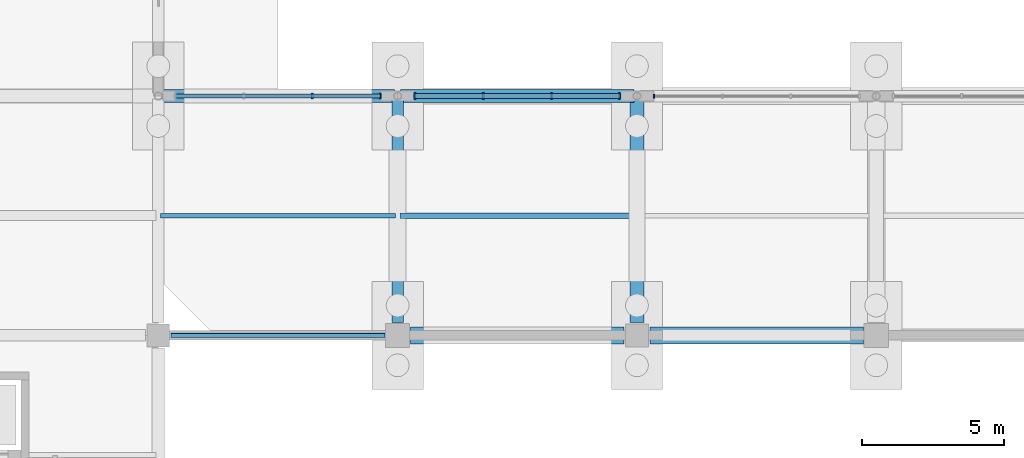
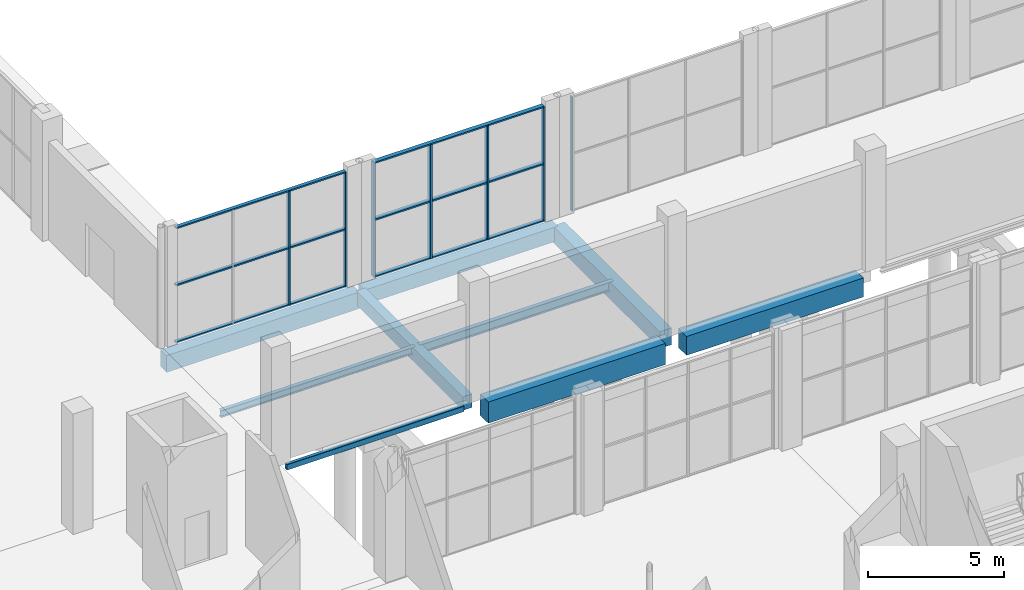
# One storey, part 34 of 82: 13 members, 9 beams, 3 elements without a shape of their own.
"""IFC4 building model written with IfcOpenShell, lengths in metres."""

import ifcopenshell
import ifcopenshell.guid

model = None  # the IFC model being written
_history = None  # IfcOwnerHistory: only IFC2X3 demands one
_inside = {}  # id of a spatial element -> (the spatial element, [elements in it])
_under = {}  # id of a project, library or spatial element -> (it, [spatial elements below it])
_declared = {}  # id of a project -> (the project, [libraries it declares])
_typed = {}  # id of a type object -> (the type object, [elements of that type])
_made_of = {}  # id of a material, layer set ... -> (it, [elements and type objects made of it])


def new_model(schema):
    """Start an empty IFC model of exactly this schema.

    Asked for "IFC4X3", IfcOpenShell would pick the latest addendum, in which some entities
    have other attributes; the version numbers below select the first issue.
    IFC2X3 requires an IfcOwnerHistory on every rooted entity: one is made here for all.
    """
    global model, _history
    if schema == "IFC4X3":
        model = ifcopenshell.file(schema_version=(4, 3, 0, 0))
    else:
        model = ifcopenshell.file(schema=schema)
    _inside.clear()
    _under.clear()
    _declared.clear()
    _typed.clear()
    _made_of.clear()
    _history = None
    if model.schema == "IFC2X3":
        org = make("IfcOrganization", Name="unknown")
        user = make(
            "IfcPersonAndOrganization",
            ThePerson=make("IfcPerson", FamilyName="unknown"),
            TheOrganization=org,
        )
        app = make(
            "IfcApplication",
            ApplicationDeveloper=org,
            Version="unknown",
            ApplicationFullName="unknown",
            ApplicationIdentifier="unknown",
        )
        _history = make(
            "IfcOwnerHistory",
            OwningUser=user,
            OwningApplication=app,
            ChangeAction="ADDED",
            CreationDate=0,
        )
    return model


def make(cls, **values):
    """One entity of the class cls with the attributes given. An attribute that is None is left unset."""
    return model.create_entity(
        cls, **{name: value for name, value in values.items() if value is not None}
    )


def rooted(cls, **values):
    """An entity with a GlobalId (a new one), such as an element, a storey or a relation."""
    return make(cls, GlobalId=ifcopenshell.guid.new(), OwnerHistory=_history, **values)


def si_unit(unit_type, name, prefix=None):
    """IfcSIUnit, for example si_unit("LENGTHUNIT", "METRE", prefix="MILLI")."""
    return make("IfcSIUnit", UnitType=unit_type, Prefix=prefix, Name=name)


def derived_unit(unit_type, elements):
    """IfcDerivedUnit: a product of units, each with its exponent."""
    return make(
        "IfcDerivedUnit",
        Elements=[
            make("IfcDerivedUnitElement", Unit=unit, Exponent=power)
            for unit, power in elements
        ],
        UnitType=unit_type,
    )


def assignment(units):
    """IfcUnitAssignment: the units of a project."""
    return None if units is None else make("IfcUnitAssignment", Units=units)


def point(xyz):
    """IfcCartesianPoint."""
    return None if xyz is None else make("IfcCartesianPoint", Coordinates=xyz)


def direction(xyz):
    """IfcDirection."""
    return None if xyz is None else make("IfcDirection", DirectionRatios=xyz)


def frame(location, z_axis=None, x_axis=None):
    """IfcAxis2Placement3D, a coordinate frame: its origin and axes. An axis left out is left unset."""
    return make(
        "IfcAxis2Placement3D",
        Location=point(location),
        Axis=direction(z_axis),
        RefDirection=direction(x_axis),
    )


def frame_2d(location, x_axis=None):
    """IfcAxis2Placement2D, a coordinate frame in the plane: its origin and x axis."""
    return make(
        "IfcAxis2Placement2D", Location=point(location), RefDirection=direction(x_axis)
    )


def origin():
    """The frame at (0, 0, 0) with its axes left unset."""
    return frame((0.0, 0.0, 0.0))


def origin_2d():
    """The frame at (0, 0) in the plane with its x axis left unset."""
    return frame_2d((0.0, 0.0))


def place(relative_to, where):
    """IfcLocalPlacement: puts the frame where relative to a parent placement (None: the world)."""
    return make(
        "IfcLocalPlacement", PlacementRelTo=relative_to, RelativePlacement=where
    )


def context(
    kind, dimensions, precision=None, world=None, true_north=None, identifier=None
):
    """IfcGeometricRepresentationContext, for example the 3D "Model" context."""
    return make(
        "IfcGeometricRepresentationContext",
        ContextIdentifier=identifier,
        ContextType=kind,
        CoordinateSpaceDimension=dimensions,
        Precision=precision,
        WorldCoordinateSystem=world,
        TrueNorth=true_north,
    )


def subcontext(parent, identifier, kind, view, scale=None):
    """IfcGeometricRepresentationSubContext, for example "Body" below "Model"."""
    return make(
        "IfcGeometricRepresentationSubContext",
        ContextIdentifier=identifier,
        ContextType=kind,
        ParentContext=parent,
        TargetScale=scale,
        TargetView=view,
    )


def project(units=None, contexts=None):
    """IfcProject with its units and contexts."""
    return rooted(
        "IfcProject",
        Name="project",
        RepresentationContexts=contexts,
        UnitsInContext=assignment(units),
    )


def spatial(cls, under=None, at=None, **own):
    """A site, building, storey or space (cls), placed at a placement, below another one or the project."""
    s = rooted(cls, ObjectPlacement=at, **own)
    if under is not None:
        _under.setdefault(under.id(), (under, []))[1].append(s)
    return s


def profile(cls, at=None, kind="AREA", **sizes):
    """A parametric profile (cls). Its sizes go by their IFC names, for example OverallWidth=200.0."""
    return make(cls, ProfileType=kind, Position=at, **sizes)


def rectangle(**sizes):
    """IfcRectangleProfileDef."""
    return profile("IfcRectangleProfileDef", **sizes)


def hollow_rectangle(**sizes):
    """IfcRectangleHollowProfileDef."""
    return profile("IfcRectangleHollowProfileDef", **sizes)


def i_section(**sizes):
    """IfcIShapeProfileDef."""
    return profile("IfcIShapeProfileDef", **sizes)


def extrude(swept, where, along, depth):
    """IfcExtrudedAreaSolid: the profile swept, set in the frame where, extruded along a direction by depth."""
    return make(
        "IfcExtrudedAreaSolid",
        SweptArea=swept,
        Position=where,
        ExtrudedDirection=direction(along),
        Depth=depth,
    )


def shape(context_of_items, identifier, shape_type, items):
    """IfcShapeRepresentation: the items that make up one representation, for example the "Body"."""
    return make(
        "IfcShapeRepresentation",
        ContextOfItems=context_of_items,
        RepresentationIdentifier=identifier,
        RepresentationType=shape_type,
        Items=items,
    )


def material(Name=None, Category=None):
    """IfcMaterial."""
    return make("IfcMaterial", Name=Name, Category=Category)


def material_profile(
    of_material, cross_section, Name=None, Category=None, Priority=None
):
    """IfcMaterialProfile: a cross section and its material."""
    return make(
        "IfcMaterialProfile",
        Name=Name,
        Material=of_material,
        Profile=cross_section,
        Priority=Priority,
        Category=Category,
    )


def profile_set(profiles, Name=None, composite=None):
    """IfcMaterialProfileSet."""
    return make(
        "IfcMaterialProfileSet",
        Name=Name,
        MaterialProfiles=profiles,
        CompositeProfile=composite,
    )


def made_of(thing, what):
    """Note that an element or type object is made of a material, layer set ...; save() writes the relation."""
    if what is not None:
        _made_of.setdefault(what.id(), (what, []))[1].append(thing)
    return thing


def type_object(cls, material=None, **own):
    """A type object (cls), such as IfcWallType, which elements share."""
    return made_of(rooted(cls, **own), material)


def element(
    cls,
    number,
    at=None,
    inside=None,
    cuts=None,
    type_object=None,
    material=None,
    context=None,
    identifier="Body",
    shape_type=None,
    held_by="IfcProductDefinitionShape",
    body=None,
    shapes=None,
    **own,
):
    """One element of the class cls, such as IfcWall. Its Tag is "e" and its number.

    at: its placement. inside: the storey or other place that contains it. cuts: it is an
    opening in that element (IfcRelVoidsElement). A single representation is given by context,
    identifier, shape_type and body (its items); several are given by shapes. held_by: the class
    of the entity that holds the representations. save() writes the other relations.
    """
    e = rooted(cls, Tag="e%d" % number, ObjectPlacement=at, **own)
    if body is not None:
        shapes = [shape(context, identifier, shape_type, body)]
    if shapes is not None:
        e.Representation = make(held_by, Representations=shapes)
    if inside is not None:
        _inside.setdefault(inside.id(), (inside, []))[1].append(e)
    if cuts is not None:
        rooted(
            "IfcRelVoidsElement", RelatingBuildingElement=cuts, RelatedOpeningElement=e
        )
    if type_object is not None:
        _typed.setdefault(type_object.id(), (type_object, []))[1].append(e)
    return made_of(e, material)


def aggregate(whole, parts):
    """IfcRelAggregates: a whole, such as a stair, and the parts it consists of."""
    return rooted("IfcRelAggregates", RelatingObject=whole, RelatedObjects=parts)


def save(model, path):
    """Write the relations noted so far, then the file.

    IfcRelAggregates (storeys below a building ...), IfcRelContainedInSpatialStructure (elements
    in a storey), IfcRelDefinesByType, IfcRelAssociatesMaterial and IfcRelDeclares: one each for
    every whole, place, type object, material and project.
    """
    for whole, parts in _under.values():
        aggregate(whole, parts)
    for where, things in _inside.values():
        rooted(
            "IfcRelContainedInSpatialStructure",
            RelatedElements=things,
            RelatingStructure=where,
        )
    for kind, things in _typed.values():
        rooted("IfcRelDefinesByType", RelatedObjects=things, RelatingType=kind)
    for what, things in _made_of.values():
        rooted("IfcRelAssociatesMaterial", RelatedObjects=things, RelatingMaterial=what)
    for by, libraries in _declared.values():
        rooted("IfcRelDeclares", RelatingContext=by, RelatedDefinitions=libraries)
    model.write(path)


model = new_model("IFC4")

# Units and contexts
model_context = context("Model", 3, precision=1e-05, world=origin(), true_north=direction((0.0, 1.0)))
body_context = subcontext(model_context, "Body", "Model", "MODEL_VIEW")
ifc_project = project(units=[si_unit("LENGTHUNIT", "METRE"), si_unit("AREAUNIT", "SQUARE_METRE"), si_unit("VOLUMEUNIT", "CUBIC_METRE"), si_unit("PLANEANGLEUNIT", "RADIAN"), si_unit("MASSUNIT", "GRAM", prefix="KILO"), derived_unit("THERMALTRANSMITTANCEUNIT", [(si_unit("POWERUNIT", "WATT"), 1), (si_unit("LENGTHUNIT", "METRE"), -2), (si_unit("THERMODYNAMICTEMPERATUREUNIT", "KELVIN"), -1)])], contexts=[model_context])

# Site, building, storey
site_placement = place(None, origin())
site = spatial("IfcSite", under=ifc_project, at=site_placement, CompositionType="ELEMENT")
building_placement = place(site_placement, origin())
building = spatial("IfcBuilding", under=site, at=building_placement, Name="Barrovel Congress Hotel", CompositionType="ELEMENT")
storey_placement = place(building_placement, origin())
storey = spatial("IfcBuildingStorey", under=building, at=storey_placement, Name="L00", CompositionType="ELEMENT", Elevation=0.0)

# Beams
ifc_material_1 = material(Name="Concrete C40", Category="concrete")
ifc_material_profile_1 = material_profile(ifc_material_1, rectangle(XDim=0.39990234375, YDim=0.60009765625, at=origin_2d()), Name="RC400x600")
ifc_profile_set_1 = profile_set([ifc_material_profile_1], Name="Concrete C40")
beam_type_1 = type_object("IfcBeamType", Name="BM-RC400x600", PredefinedType="BEAM", material=ifc_profile_set_1)
beam_1_placement = place(storey_placement, frame((67.199951171875, 38.25, -0.6201171875), z_axis=(0.0, 1.0, 0.0), x_axis=(-1.0, 0.0, 0.0)))
element("IfcBeam", 1, at=beam_1_placement, inside=storey, type_object=beam_type_1, Name="BMY:L00:67.2:37.8-46.2", PredefinedType="BEAM", context=body_context, shape_type="SweptSolid", body=[
    extrude(rectangle(XDim=0.39990234375, YDim=0.60009765625, at=origin_2d()), origin(), (0.0, 0.0, 1.0), 7.840576171875),
])
ifc_material_profile_2 = material_profile(ifc_material_1, rectangle(XDim=0.449951171875, YDim=0.64990234375, at=origin_2d()), Name="RC450x650")
ifc_profile_set_2 = profile_set([ifc_material_profile_2], Name="Concrete C40")
beam_type_2 = type_object("IfcBeamType", Name="BM-RC450x650", PredefinedType="BEAM", material=ifc_profile_set_2)
beam_2_placement = place(storey_placement, frame((67.3095703125, 46.199951171875, -0.64501953125), z_axis=(1.0, 0.0, 0.0), x_axis=(0.0, 1.0, 0.0)))
element("IfcBeam", 2, at=beam_2_placement, inside=storey, type_object=beam_type_2, Name="BMX:L00:46.2:67.2-75.6", PredefinedType="BEAM", context=body_context, shape_type="SweptSolid", body=[
    extrude(rectangle(XDim=0.449951171875, YDim=0.64990234375, at=origin_2d()), origin(), (0.0, 0.0, 1.0), 8.180908203125),
])
ifc_material_profile_3 = material_profile(ifc_material_1, rectangle(XDim=0.449951171875, YDim=0.75, at=origin_2d()), Name="RC450x750")
ifc_profile_set_3 = profile_set([ifc_material_profile_3], Name="Concrete C40")
beam_type_3 = type_object("IfcBeamType", Name="BM-RC450x750", PredefinedType="BEAM", material=ifc_profile_set_3)
beam_3_placement = place(storey_placement, frame((58.909423828125, 46.199951171875, -0.695068359375), z_axis=(1.0, 0.0, 0.0), x_axis=(0.0, 1.0, 0.0)))
element("IfcBeam", 3, at=beam_3_placement, inside=storey, type_object=beam_type_3, Name="BMX:L00:46.2:58.8-67.2", PredefinedType="BEAM", context=body_context, shape_type="SweptSolid", body=[
    extrude(rectangle(XDim=0.449951171875, YDim=0.75, at=origin_2d()), origin(), (0.0, 0.0, 1.0), 8.18115234375),
])
ifc_material_profile_4 = material_profile(ifc_material_1, rectangle(XDim=0.5, YDim=0.75, at=origin_2d()), Name="RC500x750")
ifc_profile_set_4 = profile_set([ifc_material_profile_4], Name="Concrete C40")
beam_type_4 = type_object("IfcBeamType", Name="BM-RC500x750", PredefinedType="BEAM", material=ifc_profile_set_4)
beam_4_placement = place(storey_placement, frame((75.60009765625, 38.25, -0.695068359375), z_axis=(0.0, 1.0, 0.0), x_axis=(-1.0, 0.0, 0.0)))
element("IfcBeam", 4, at=beam_4_placement, inside=storey, type_object=beam_type_4, Name="BMY:L00:75.6:37.8-46.2", PredefinedType="BEAM", context=body_context, shape_type="SweptSolid", body=[
    extrude(rectangle(XDim=0.5, YDim=0.75, at=origin_2d()), origin(), (0.0, 0.0, 1.0), 7.840576171875),
])
ifc_material_profile_5 = material_profile(ifc_material_1, rectangle(XDim=0.60009765625, YDim=0.85009765625, at=origin_2d()), Name="RC600x850")
ifc_profile_set_5 = profile_set([ifc_material_profile_5], Name="Concrete C40")
beam_type_5 = type_object("IfcBeamType", Name="BM-RC600x850", PredefinedType="BEAM", material=ifc_profile_set_5)
beam_5_placement = place(storey_placement, frame((76.050048828125, 37.800048828125, -0.7451171875), z_axis=(1.0, 0.0, 0.0), x_axis=(0.0, 1.0, 0.0)))
element("IfcBeam", 5, at=beam_5_placement, inside=storey, type_object=beam_type_5, Name="BMX:L00:37.8:75.6-84.0", PredefinedType="BEAM", context=body_context, shape_type="SweptSolid", body=[
    extrude(rectangle(XDim=0.60009765625, YDim=0.85009765625, at=origin_2d()), origin(), (0.0, 0.0, 1.0), 7.5),
])
ifc_material_profile_6 = material_profile(ifc_material_1, rectangle(XDim=0.60009765625, YDim=0.949951171875, at=origin_2d()), Name="RC600x950")
ifc_profile_set_6 = profile_set([ifc_material_profile_6], Name="Concrete C40")
beam_type_6 = type_object("IfcBeamType", Name="BM-RC600x950", PredefinedType="BEAM", material=ifc_profile_set_6)
beam_6_placement = place(storey_placement, frame((67.64990234375, 37.800048828125, -0.794921875), z_axis=(1.0, 0.0, 0.0), x_axis=(0.0, 1.0, 0.0)))
element("IfcBeam", 6, at=beam_6_placement, inside=storey, type_object=beam_type_6, Name="BMX:L00:37.8:67.2-75.6", PredefinedType="BEAM", context=body_context, shape_type="SweptSolid", body=[
    extrude(rectangle(XDim=0.60009765625, YDim=0.949951171875, at=origin_2d()), origin(), (0.0, 0.0, 1.0), 7.5),
])

# Curtain wall, member
ifc_material_2 = material(Name="Anodised Aluminium Alloy 6063-T6", Category="aluminium")
curtain_wall_type = type_object("IfcCurtainWallType", Name="CW-ST-6400x4200", PredefinedType="USERDEFINED", material=ifc_material_2)
curtain_wall_1_placement = place(storey_placement, origin())
curtain_wall_1 = element("IfcCurtainWall", 7, at=curtain_wall_1_placement, inside=storey, type_object=curtain_wall_type, Name="CW:L00:CL:09", ObjectType="STICK CURTAIN WALL", PredefinedType="USERDEFINED")
ifc_material_profile_7 = material_profile(ifc_material_2, rectangle(XDim=0.06005859375, YDim=0.139892578125, at=origin_2d()), Name="AL-M60x140")
ifc_profile_set_7 = profile_set([ifc_material_profile_7], Name="Anodised Aluminium Alloy 6063-T6")
member_type_1 = type_object("IfcMemberType", Name="CWM-AL-M60x140", PredefinedType="MULLION", material=ifc_profile_set_7)
member_1_placement = place(storey_placement, frame((76.199951171875, 46.199951171875, 0.0), z_axis=(0.0, 0.0, 1.0), x_axis=(1.0, 0.0, 0.0)))
member_1 = element("IfcMember", 8, at=member_1_placement, type_object=member_type_1, Name="CW:L00:CL:09:M3", PredefinedType="MULLION", context=body_context, shape_type="SweptSolid", body=[
    extrude(rectangle(XDim=0.06005859375, YDim=0.139892578125, at=origin_2d()), origin(), (0.0, 0.0, 1.0), 5.1201171875),
])
aggregate(curtain_wall_1, [member_1])

# Curtain wall, members
curtain_wall_2_placement = place(storey_placement, origin())
curtain_wall_2 = element("IfcCurtainWall", 9, at=curtain_wall_2_placement, inside=storey, type_object=curtain_wall_type, Name="CW:L00:CL:07", ObjectType="STICK CURTAIN WALL", PredefinedType="USERDEFINED")
ifc_material_profile_8 = material_profile(ifc_material_2, rectangle(XDim=0.06494140625, YDim=0.18994140625, at=origin_2d()), Name="AL-M65x190")
ifc_profile_set_8 = profile_set([ifc_material_profile_8], Name="Anodised Aluminium Alloy 6063-T6")
member_type_2 = type_object("IfcMemberType", Name="CWM-AL-M65x190", PredefinedType="MULLION", material=ifc_profile_set_8)
member_2_placement = place(storey_placement, frame((66.60009765625, 46.199951171875, 0.0), z_axis=(0.0, 0.0, 1.0), x_axis=(1.0, 0.0, 0.0)))
member_2 = element("IfcMember", 10, at=member_2_placement, type_object=member_type_2, Name="CW:L00:CL:07:M0", PredefinedType="MULLION", context=body_context, shape_type="SweptSolid", body=[
    extrude(rectangle(XDim=0.06494140625, YDim=0.18994140625, at=origin_2d()), origin(), (0.0, 0.0, 1.0), 5.1201171875),
])
member_3_placement = place(storey_placement, frame((64.199951171875, 46.199951171875, 0.0), z_axis=(0.0, 0.0, 1.0), x_axis=(1.0, 0.0, 0.0)))
member_3 = element("IfcMember", 11, at=member_3_placement, type_object=member_type_2, Name="CW:L00:CL:07:M1", PredefinedType="MULLION", context=body_context, shape_type="SweptSolid", body=[
    extrude(rectangle(XDim=0.06494140625, YDim=0.18994140625, at=origin_2d()), origin(), (0.0, 0.0, 1.0), 5.1201171875),
])

curtain_wall_3_placement = place(storey_placement, origin())
curtain_wall_3 = element("IfcCurtainWall", 12, at=curtain_wall_3_placement, inside=storey, type_object=curtain_wall_type, Name="CW:L00:CL:08", ObjectType="STICK CURTAIN WALL", PredefinedType="USERDEFINED")
ifc_material_profile_9 = material_profile(ifc_material_2, rectangle(XDim=0.06494140625, YDim=0.219970703125, at=origin_2d()), Name="AL-M65x220")
ifc_profile_set_9 = profile_set([ifc_material_profile_9], Name="Anodised Aluminium Alloy 6063-T6")
member_type_3 = type_object("IfcMemberType", Name="CWM-AL-M65x220", PredefinedType="MULLION", material=ifc_profile_set_9)
member_4_placement = place(storey_placement, frame((75.0, 46.199951171875, 0.0), z_axis=(0.0, 0.0, 1.0), x_axis=(1.0, 0.0, 0.0)))
member_4 = element("IfcMember", 13, at=member_4_placement, type_object=member_type_3, Name="CW:L00:CL:08:M0", PredefinedType="MULLION", context=body_context, shape_type="SweptSolid", body=[
    extrude(rectangle(XDim=0.06494140625, YDim=0.219970703125, at=origin_2d()), origin(), (0.0, 0.0, 1.0), 5.1201171875),
])
member_5_placement = place(storey_placement, frame((72.60009765625, 46.199951171875, 0.0), z_axis=(0.0, 0.0, 1.0), x_axis=(1.0, 0.0, 0.0)))
member_5 = element("IfcMember", 14, at=member_5_placement, type_object=member_type_3, Name="CW:L00:CL:08:M1", PredefinedType="MULLION", context=body_context, shape_type="SweptSolid", body=[
    extrude(rectangle(XDim=0.06494140625, YDim=0.219970703125, at=origin_2d()), origin(), (0.0, 0.0, 1.0), 5.1201171875),
])
member_6_placement = place(storey_placement, frame((70.199951171875, 46.199951171875, 0.0), z_axis=(0.0, 0.0, 1.0), x_axis=(1.0, 0.0, 0.0)))
member_6 = element("IfcMember", 15, at=member_6_placement, type_object=member_type_3, Name="CW:L00:CL:08:M2", PredefinedType="MULLION", context=body_context, shape_type="SweptSolid", body=[
    extrude(rectangle(XDim=0.06494140625, YDim=0.219970703125, at=origin_2d()), origin(), (0.0, 0.0, 1.0), 5.1201171875),
])
member_7_placement = place(storey_placement, frame((67.800048828125, 46.199951171875, 0.0), z_axis=(0.0, 0.0, 1.0), x_axis=(1.0, 0.0, 0.0)))
member_7 = element("IfcMember", 16, at=member_7_placement, type_object=member_type_3, Name="CW:L00:CL:08:M3", PredefinedType="MULLION", context=body_context, shape_type="SweptSolid", body=[
    extrude(rectangle(XDim=0.06494140625, YDim=0.219970703125, at=origin_2d()), origin(), (0.0, 0.0, 1.0), 5.1201171875),
])

# Member
ifc_material_profile_10 = material_profile(ifc_material_2, rectangle(XDim=0.14990234375, YDim=0.06494140625, at=origin_2d()), Name="AL-T65x150")
ifc_profile_set_10 = profile_set([ifc_material_profile_10], Name="Anodised Aluminium Alloy 6063-T6")
member_type_4 = type_object("IfcMemberType", Name="CWT-AL-T65x150", PredefinedType="USERDEFINED", material=ifc_profile_set_10)
member_8_placement = place(storey_placement, frame((66.60009765625, 46.199951171875, 0.0), z_axis=(-1.0, 0.0, 0.0), x_axis=(0.0, -1.0, 0.0)))
member_8 = element("IfcMember", 17, at=member_8_placement, type_object=member_type_4, Name="CW:L00:CL:07:T0", ObjectType="TRANSOM", PredefinedType="USERDEFINED", context=body_context, shape_type="SweptSolid", body=[
    extrude(rectangle(XDim=0.14990234375, YDim=0.06494140625, at=origin_2d()), origin(), (0.0, 0.0, 1.0), 7.2001953125),
])

member_9_placement = place(storey_placement, frame((66.60009765625, 46.199951171875, 2.56005859375), z_axis=(-1.0, 0.0, 0.0), x_axis=(0.0, -1.0, 0.0)))
member_9 = element("IfcMember", 18, at=member_9_placement, type_object=member_type_4, Name="CW:L00:CL:07:T1", ObjectType="TRANSOM", PredefinedType="USERDEFINED", context=body_context, shape_type="SweptSolid", body=[
    extrude(rectangle(XDim=0.14990234375, YDim=0.06494140625, at=origin_2d()), origin(), (0.0, 0.0, 1.0), 7.2001953125),
])

member_10_placement = place(storey_placement, frame((66.60009765625, 46.199951171875, 5.1201171875), z_axis=(-1.0, 0.0, 0.0), x_axis=(0.0, -1.0, 0.0)))
member_10 = element("IfcMember", 19, at=member_10_placement, type_object=member_type_4, Name="CW:L00:CL:07:T2", ObjectType="TRANSOM", PredefinedType="USERDEFINED", context=body_context, shape_type="SweptSolid", body=[
    extrude(rectangle(XDim=0.14990234375, YDim=0.06494140625, at=origin_2d()), origin(), (0.0, 0.0, 1.0), 7.2001953125),
])

aggregate(curtain_wall_2, [member_2, member_3, member_8, member_9, member_10])

ifc_material_profile_11 = material_profile(ifc_material_2, rectangle(XDim=0.179931640625, YDim=0.06494140625, at=origin_2d()), Name="AL-T65x180")
ifc_profile_set_11 = profile_set([ifc_material_profile_11], Name="Anodised Aluminium Alloy 6063-T6")
member_type_5 = type_object("IfcMemberType", Name="CWT-AL-T65x180", PredefinedType="USERDEFINED", material=ifc_profile_set_11)
member_11_placement = place(storey_placement, frame((75.0, 46.199951171875, 0.0), z_axis=(-1.0, 0.0, 0.0), x_axis=(0.0, -1.0, 0.0)))
member_11 = element("IfcMember", 20, at=member_11_placement, type_object=member_type_5, Name="CW:L00:CL:08:T0", ObjectType="TRANSOM", PredefinedType="USERDEFINED", context=body_context, shape_type="SweptSolid", body=[
    extrude(rectangle(XDim=0.179931640625, YDim=0.06494140625, at=origin_2d()), origin(), (0.0, 0.0, 1.0), 7.199951171875),
])

member_12_placement = place(storey_placement, frame((75.0, 46.199951171875, 2.56005859375), z_axis=(-1.0, 0.0, 0.0), x_axis=(0.0, -1.0, 0.0)))
member_12 = element("IfcMember", 21, at=member_12_placement, type_object=member_type_5, Name="CW:L00:CL:08:T1", ObjectType="TRANSOM", PredefinedType="USERDEFINED", context=body_context, shape_type="SweptSolid", body=[
    extrude(rectangle(XDim=0.179931640625, YDim=0.06494140625, at=origin_2d()), origin(), (0.0, 0.0, 1.0), 7.199951171875),
])

member_13_placement = place(storey_placement, frame((75.0, 46.199951171875, 5.1201171875), z_axis=(-1.0, 0.0, 0.0), x_axis=(0.0, -1.0, 0.0)))
member_13 = element("IfcMember", 22, at=member_13_placement, type_object=member_type_5, Name="CW:L00:CL:08:T2", ObjectType="TRANSOM", PredefinedType="USERDEFINED", context=body_context, shape_type="SweptSolid", body=[
    extrude(rectangle(XDim=0.179931640625, YDim=0.06494140625, at=origin_2d()), origin(), (0.0, 0.0, 1.0), 7.199951171875),
])

aggregate(curtain_wall_3, [member_4, member_5, member_6, member_7, member_11, member_12, member_13])

# Beams
ifc_material_3 = material(Name="Steel ASTM A500 Grade C", Category="steel")
ifc_material_profile_12 = material_profile(ifc_material_3, hollow_rectangle(XDim=0.15234375, YDim=0.25390625, WallThickness=0.0087890625, InnerFilletRadius=0.0087890625, OuterFilletRadius=0.017578125, at=origin_2d()), Name="HSS254x152x9.5")
ifc_profile_set_12 = profile_set([ifc_material_profile_12], Name="Steel ASTM A500 Grade C")
beam_type_7 = type_object("IfcBeamType", Name="SBM-HSS254x152x9.5", PredefinedType="SPANDREL", material=ifc_profile_set_12)
beam_7_placement = place(storey_placement, frame((59.25, 37.800048828125, -0.447021484375), z_axis=(1.0, 0.0, 0.0), x_axis=(0.0, 1.0, 0.0)))
element("IfcBeam", 23, at=beam_7_placement, inside=storey, type_object=beam_type_7, Name="BMX:L00:37.8:58.8-67.2", PredefinedType="SPANDREL", context=body_context, shape_type="SweptSolid", body=[
    extrude(hollow_rectangle(XDim=0.15234375, YDim=0.25390625, WallThickness=0.0087890625, InnerFilletRadius=0.0087890625, OuterFilletRadius=0.017578125, at=origin_2d()), origin(), (0.0, 0.0, 1.0), 7.5),
])
ifc_material_4 = material(Name="Steel ASTM A992 Grade 50", Category="steel")
ifc_material_profile_13 = material_profile(ifc_material_4, i_section(OverallWidth=0.1650390625, OverallDepth=0.31005859375, WebThickness=0.005859375, FlangeThickness=0.009765625, FilletRadius=0.010986328125, at=origin_2d()), Name="W310x39")
ifc_profile_set_13 = profile_set([ifc_material_profile_13], Name="Steel ASTM A992 Grade 50")
beam_type_8 = type_object("IfcBeamType", Name="SBM-W310x39", PredefinedType="JOIST", material=ifc_profile_set_13)
beam_8_placement = place(storey_placement, frame((58.8798828125, 42.0, -0.47509765625), z_axis=(1.0, 0.0, 0.0), x_axis=(0.0, 1.0, 0.0)))
element("IfcBeam", 24, at=beam_8_placement, inside=storey, type_object=beam_type_8, Name="JST:L00:58.8:42.0", PredefinedType="JOIST", context=body_context, shape_type="SweptSolid", body=[
    extrude(i_section(OverallWidth=0.1650390625, OverallDepth=0.31005859375, WebThickness=0.005859375, FlangeThickness=0.009765625, FilletRadius=0.010986328125, at=origin_2d()), origin(), (0.0, 0.0, 1.0), 8.240234375),
])
ifc_material_profile_14 = material_profile(ifc_material_4, i_section(OverallWidth=0.177001953125, OverallDepth=0.403076171875, WebThickness=0.007568359375, FlangeThickness=0.010986328125, FilletRadius=0.011962890625, at=origin_2d()), Name="W410x53")
ifc_profile_set_14 = profile_set([ifc_material_profile_14], Name="Steel ASTM A992 Grade 50")
beam_type_9 = type_object("IfcBeamType", Name="SBM-W410x53", PredefinedType="JOIST", material=ifc_profile_set_14)
beam_9_placement = place(storey_placement, frame((67.280029296875, 42.0, -0.521484375), z_axis=(1.0, 0.0, 0.0), x_axis=(0.0, 1.0, 0.0)))
element("IfcBeam", 25, at=beam_9_placement, inside=storey, type_object=beam_type_9, Name="JST:L00:67.2:42.0", PredefinedType="JOIST", context=body_context, shape_type="SweptSolid", body=[
    extrude(i_section(OverallWidth=0.177001953125, OverallDepth=0.403076171875, WebThickness=0.007568359375, FlangeThickness=0.010986328125, FilletRadius=0.011962890625, at=origin_2d()), origin(), (0.0, 0.0, 1.0), 8.239990234375),
])

save(model, "model.ifc")
